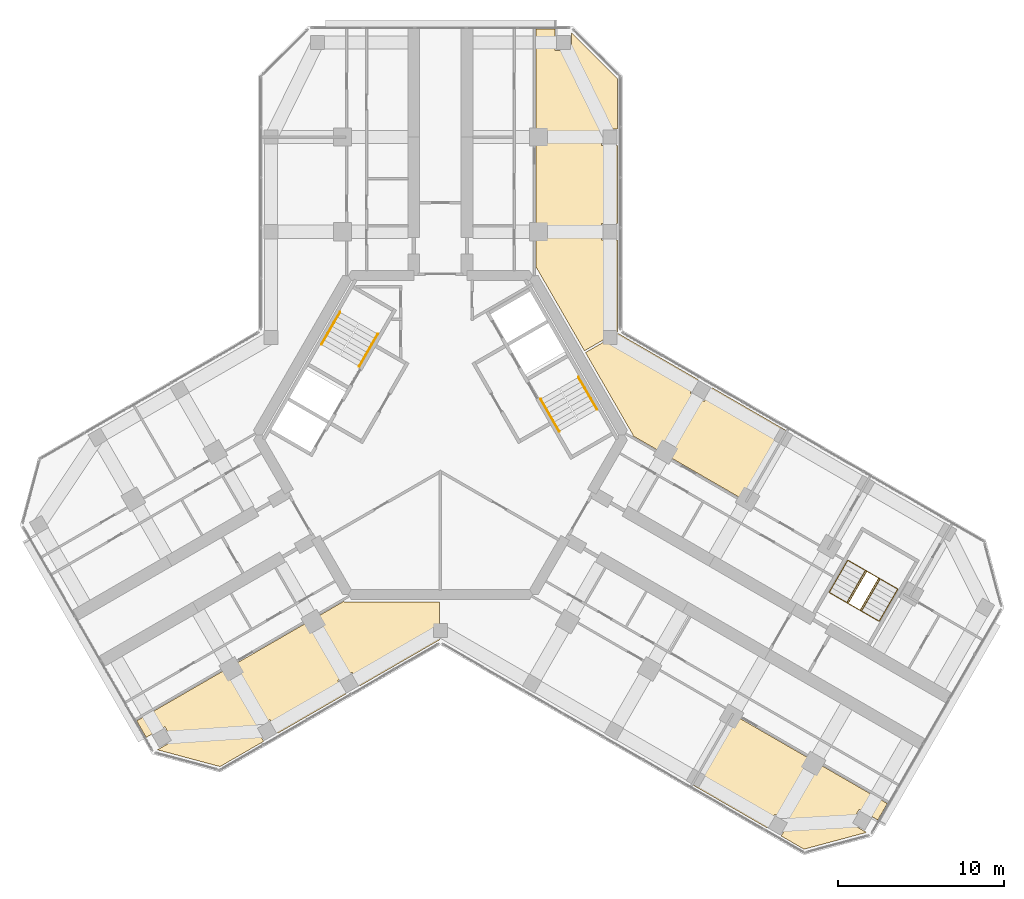
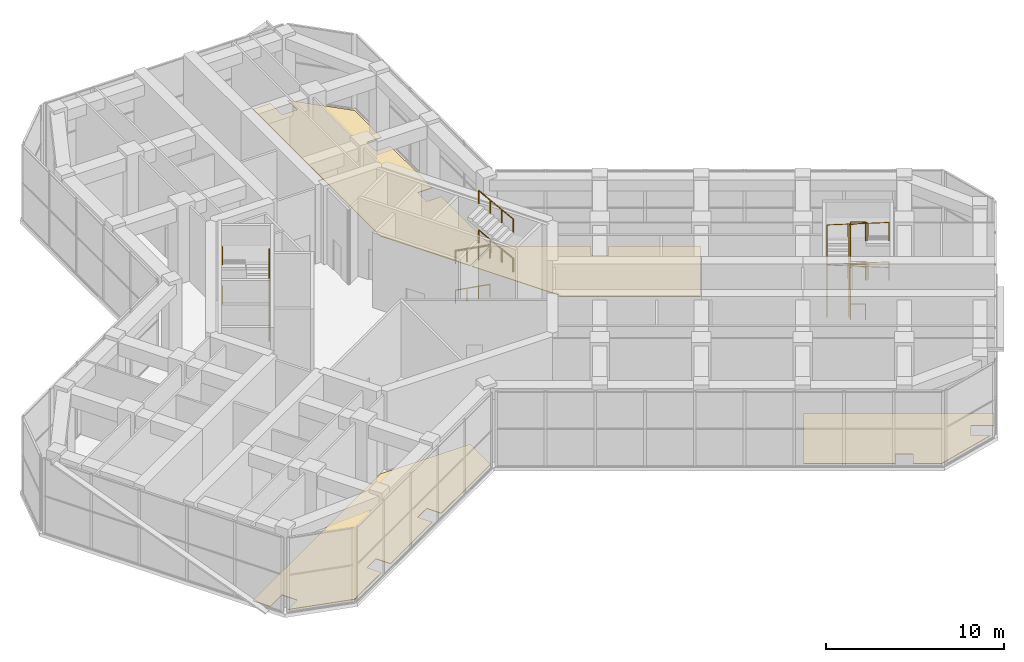
# One storey, part 16 of 16: 11 railings, 4 coverings.
"""IFC4 building model written with IfcOpenShell, lengths in metres."""

from ifc_helpers import new_model, si_unit, direction, frame, origin, origin_2d, place, context, subcontext, project, spatial, polyline, circle, outline, extrude, material, layer, layer_set, type_object, element, save


model = new_model("IFC4")

# Units and contexts
model_context = context("Model", 3, precision=1e-05, world=origin(), true_north=direction((0.0, 1.0)))
body_context = subcontext(model_context, "Body", "Model", "MODEL_VIEW")
ifc_project = project(units=[si_unit("LENGTHUNIT", "METRE"), si_unit("AREAUNIT", "SQUARE_METRE"), si_unit("VOLUMEUNIT", "CUBIC_METRE"), si_unit("PLANEANGLEUNIT", "RADIAN"), si_unit("MASSUNIT", "GRAM", prefix="KILO")], contexts=[model_context])

# Site, building, storey
site_placement = place(None, origin())
site = spatial("IfcSite", under=ifc_project, at=site_placement, CompositionType="ELEMENT")
building_placement = place(site_placement, origin())
building = spatial("IfcBuilding", under=site, at=building_placement, Name="Kosmar Iwan School Tower", CompositionType="ELEMENT")
storey_placement = place(building_placement, frame((0.0, 0.0, 226.199951171875)))
storey = spatial("IfcBuildingStorey", under=building, at=storey_placement, Name="L57", CompositionType="ELEMENT", Elevation=226.199951171875)

# Railings
ifc_material_1 = material(Name="Black steel", Category="steel")
railing_type_1 = type_object("IfcRailingType", Name="Stair handrail 900", PredefinedType="HANDRAIL", material=ifc_material_1)
railing_1_placement = place(storey_placement, frame((-4.89453125, 4.142333984375, 0.168701171875)))
element("IfcRailing", 1, at=railing_1_placement, inside=storey, type_object=railing_type_1, Name="Handrail ST2 flight 1", PredefinedType="HANDRAIL", context=body_context, shape_type="SweptSolid", body=[
    extrude(circle(Radius=0.02392578125, at=origin_2d()), frame((0.0, 0.0, 0.8759765625), z_axis=(0.442213376907, 0.766040438827, 0.466507636985), x_axis=(-0.866054910533, 0.49994888933, 0.0)), (0.0, 0.0, 1.0), 2.532470703125),
    extrude(circle(Radius=0.02099609375, at=origin_2d()), origin(), (0.0, 0.0, 1.0), 0.851806640625),
    extrude(circle(Radius=0.02099609375, at=origin_2d()), frame((0.373291015625, 0.646728515625, 0.393798828125)), (0.0, 0.0, 1.0), 0.851806640625),
    extrude(circle(Radius=0.02099609375, at=origin_2d()), frame((0.74658203125, 1.293212890625, 0.78759765625)), (0.0, 0.0, 1.0), 0.851806640625),
    extrude(circle(Radius=0.02099609375, at=origin_2d()), frame((1.119873046875, 1.93994140625, 1.181396484375)), (0.0, 0.0, 1.0), 0.851806640625),
])
railing_2_placement = place(storey_placement, frame((-6.05224609375, 7.397216796875, 1.518798828125)))
element("IfcRailing", 2, at=railing_2_placement, inside=storey, type_object=railing_type_1, Name="Handrail ST2 flight 2", PredefinedType="HANDRAIL", context=body_context, shape_type="SweptSolid", body=[
    extrude(circle(Radius=0.02392578125, at=origin_2d()), frame((0.0, 0.0, 0.8759765625), z_axis=(-0.442310814531, -0.766042225863, 0.466412319246), x_axis=(0.866007717299, -0.500030632641, 0.0)), (0.0, 0.0, 1.0), 2.532470703125),
    extrude(circle(Radius=0.02099609375, at=origin_2d()), origin(), (0.0, 0.0, 1.0), 0.851806640625),
    extrude(circle(Radius=0.02099609375, at=origin_2d()), frame((-0.373291015625, -0.646728515625, 0.393798828125)), (0.0, 0.0, 1.0), 0.851806640625),
    extrude(circle(Radius=0.02099609375, at=origin_2d()), frame((-0.746826171875, -1.293212890625, 0.787353515625)), (0.0, 0.0, 1.0), 0.851806640625),
    extrude(circle(Radius=0.02099609375, at=origin_2d()), frame((-1.1201171875, -1.93994140625, 1.18115234375)), (0.0, 0.0, 1.0), 0.851806640625),
])
railing_3_placement = place(storey_placement, frame((-4.89453125, 4.142333984375, 2.868896484375)))
element("IfcRailing", 3, at=railing_3_placement, inside=storey, type_object=railing_type_1, Name="Handrail ST2 flight 3", PredefinedType="HANDRAIL", context=body_context, shape_type="SweptSolid", body=[
    extrude(circle(Radius=0.02392578125, at=origin_2d()), frame((0.0, 0.0, 0.8759765625), z_axis=(0.442233264315, 0.766074889524, 0.466432206836), x_axis=(-0.866054910533, 0.49994888933, 0.0)), (0.0, 0.0, 1.0), 2.5322265625),
    extrude(circle(Radius=0.02099609375, at=origin_2d()), origin(), (0.0, 0.0, 1.0), 0.851806640625),
    extrude(circle(Radius=0.02099609375, at=origin_2d()), frame((0.373291015625, 0.646728515625, 0.393798828125)), (0.0, 0.0, 1.0), 0.851806640625),
    extrude(circle(Radius=0.02099609375, at=origin_2d()), frame((0.74658203125, 1.293212890625, 0.787353515625)), (0.0, 0.0, 1.0), 0.851806640625),
    extrude(circle(Radius=0.02099609375, at=origin_2d()), frame((1.119873046875, 1.93994140625, 1.18115234375)), (0.0, 0.0, 1.0), 0.851806640625),
])
railing_4_placement = place(storey_placement, frame((-6.05224609375, 7.397216796875, 4.21875)))
element("IfcRailing", 4, at=railing_4_placement, inside=storey, type_object=railing_type_1, Name="Handrail ST2 flight 4", PredefinedType="HANDRAIL", context=body_context, shape_type="SweptSolid", body=[
    extrude(circle(Radius=0.02392578125, at=origin_2d()), frame((0.0, 0.0, 0.8759765625), z_axis=(-0.442290925331, -0.766007779573, 0.466487747968), x_axis=(0.866007717299, -0.500030632641, 0.0)), (0.0, 0.0, 1.0), 2.532470703125),
    extrude(circle(Radius=0.02099609375, at=origin_2d()), origin(), (0.0, 0.0, 1.0), 0.851806640625),
    extrude(circle(Radius=0.02099609375, at=origin_2d()), frame((-0.373291015625, -0.646728515625, 0.393798828125)), (0.0, 0.0, 1.0), 0.851806640625),
    extrude(circle(Radius=0.02099609375, at=origin_2d()), frame((-0.746826171875, -1.293212890625, 0.78759765625)), (0.0, 0.0, 1.0), 0.851806640625),
    extrude(circle(Radius=0.02099609375, at=origin_2d()), frame((-1.1201171875, -1.93994140625, 1.181396484375)), (0.0, 0.0, 1.0), 0.851806640625),
])
railing_5_placement = place(storey_placement, frame((6.03466796875, 2.167724609375, 0.168701171875)))
element("IfcRailing", 5, at=railing_5_placement, inside=storey, type_object=railing_type_1, Name="Handrail ST1 flight 1", PredefinedType="HANDRAIL", context=body_context, shape_type="SweptSolid", body=[
    extrude(circle(Radius=0.02392578125, at=origin_2d()), frame((0.0, 0.0, 0.8759765625), z_axis=(0.442213376907, -0.766040438827, 0.466507636985), x_axis=(0.866054910533, 0.49994888933, 0.0)), (0.0, 0.0, 1.0), 2.532470703125),
    extrude(circle(Radius=0.02099609375, at=origin_2d()), origin(), (0.0, 0.0, 1.0), 0.851806640625),
    extrude(circle(Radius=0.02099609375, at=origin_2d()), frame((0.373291015625, -0.646728515625, 0.393798828125)), (0.0, 0.0, 1.0), 0.851806640625),
    extrude(circle(Radius=0.02099609375, at=origin_2d()), frame((0.74658203125, -1.293212890625, 0.78759765625)), (0.0, 0.0, 1.0), 0.851806640625),
    extrude(circle(Radius=0.02099609375, at=origin_2d()), frame((1.119873046875, -1.93994140625, 1.181396484375)), (0.0, 0.0, 1.0), 0.851806640625),
])
railing_6_placement = place(storey_placement, frame((9.432373046875, 1.542724609375, 1.518798828125)))
element("IfcRailing", 6, at=railing_6_placement, inside=storey, type_object=railing_type_1, Name="Handrail ST1 flight 2", PredefinedType="HANDRAIL", context=body_context, shape_type="SweptSolid", body=[
    extrude(circle(Radius=0.02392578125, at=origin_2d()), frame((0.0, 0.0, 0.8759765625), z_axis=(-0.442310814531, 0.766042225863, 0.466412319246), x_axis=(-0.866007717299, -0.500030632641, 0.0)), (0.0, 0.0, 1.0), 2.532470703125),
    extrude(circle(Radius=0.02099609375, at=origin_2d()), origin(), (0.0, 0.0, 1.0), 0.851806640625),
    extrude(circle(Radius=0.02099609375, at=origin_2d()), frame((-0.373291015625, 0.646728515625, 0.393798828125)), (0.0, 0.0, 1.0), 0.851806640625),
    extrude(circle(Radius=0.02099609375, at=origin_2d()), frame((-0.746826171875, 1.293212890625, 0.787353515625)), (0.0, 0.0, 1.0), 0.851806640625),
    extrude(circle(Radius=0.02099609375, at=origin_2d()), frame((-1.1201171875, 1.93994140625, 1.18115234375)), (0.0, 0.0, 1.0), 0.851806640625),
])
railing_7_placement = place(storey_placement, frame((6.03466796875, 2.167724609375, 2.868896484375)))
element("IfcRailing", 7, at=railing_7_placement, inside=storey, type_object=railing_type_1, Name="Handrail ST1 flight 3", PredefinedType="HANDRAIL", context=body_context, shape_type="SweptSolid", body=[
    extrude(circle(Radius=0.02392578125, at=origin_2d()), frame((0.0, 0.0, 0.8759765625), z_axis=(0.442233264315, -0.766074889524, 0.466432206836), x_axis=(0.866054910533, 0.49994888933, 0.0)), (0.0, 0.0, 1.0), 2.5322265625),
    extrude(circle(Radius=0.02099609375, at=origin_2d()), origin(), (0.0, 0.0, 1.0), 0.851806640625),
    extrude(circle(Radius=0.02099609375, at=origin_2d()), frame((0.373291015625, -0.646728515625, 0.393798828125)), (0.0, 0.0, 1.0), 0.851806640625),
    extrude(circle(Radius=0.02099609375, at=origin_2d()), frame((0.74658203125, -1.293212890625, 0.787353515625)), (0.0, 0.0, 1.0), 0.851806640625),
    extrude(circle(Radius=0.02099609375, at=origin_2d()), frame((1.119873046875, -1.93994140625, 1.18115234375)), (0.0, 0.0, 1.0), 0.851806640625),
])
railing_8_placement = place(storey_placement, frame((9.432373046875, 1.542724609375, 4.21875)))
element("IfcRailing", 8, at=railing_8_placement, inside=storey, type_object=railing_type_1, Name="Handrail ST1 flight 4", PredefinedType="HANDRAIL", context=body_context, shape_type="SweptSolid", body=[
    extrude(circle(Radius=0.02392578125, at=origin_2d()), frame((0.0, 0.0, 0.8759765625), z_axis=(-0.442290925331, 0.766007779573, 0.466487747968), x_axis=(-0.866007717299, -0.500030632641, 0.0)), (0.0, 0.0, 1.0), 2.532470703125),
    extrude(circle(Radius=0.02099609375, at=origin_2d()), origin(), (0.0, 0.0, 1.0), 0.851806640625),
    extrude(circle(Radius=0.02099609375, at=origin_2d()), frame((-0.373291015625, 0.646728515625, 0.393798828125)), (0.0, 0.0, 1.0), 0.851806640625),
    extrude(circle(Radius=0.02099609375, at=origin_2d()), frame((-0.746826171875, 1.293212890625, 0.78759765625)), (0.0, 0.0, 1.0), 0.851806640625),
    extrude(circle(Radius=0.02099609375, at=origin_2d()), frame((-1.1201171875, 1.93994140625, 1.181396484375)), (0.0, 0.0, 1.0), 0.851806640625),
])
railing_9_placement = place(storey_placement, frame((23.4091796875, -9.473876953125, 0.168701171875)))
element("IfcRailing", 9, at=railing_9_placement, inside=storey, type_object=railing_type_1, Name="Handrail stair WS3 L57 wall side", PredefinedType="HANDRAIL", context=body_context, shape_type="SweptSolid", body=[
    extrude(circle(Radius=0.02392578125, at=origin_2d()), frame((0.0, 0.0, 0.8759765625), z_axis=(0.442290925331, 0.766007779573, 0.466487747968), x_axis=(-0.866007717299, 0.500030632641, 0.0)), (0.0, 0.0, 1.0), 2.532470703125),
    extrude(circle(Radius=0.02392578125, at=origin_2d()), frame((1.1201171875, 1.93994140625, 2.05712890625), z_axis=(0.865003826348, -0.499423385482, 0.048421714518), x_axis=(0.500009906705, 0.86601968407, 0.0)), (0.0, 0.0, 1.0), 3.48388671875),
    extrude(circle(Radius=0.02392578125, at=origin_2d()), frame((4.1337890625, 0.199951171875, 2.22607421875), z_axis=(-0.442233264315, -0.766074889524, 0.466432206836), x_axis=(0.866054910533, -0.49994888933, 0.0)), (0.0, 0.0, 1.0), 2.5322265625),
    extrude(circle(Radius=0.02392578125, at=origin_2d()), frame((3.013916015625, -1.739990234375, 3.4072265625), z_axis=(-0.865018530478, 0.499391418932, 0.048488685548), x_axis=(-0.499979528911, -0.866037222451, 0.0)), (0.0, 0.0, 1.0), 3.484130859375),
    extrude(circle(Radius=0.02392578125, at=origin_2d()), frame((0.0, 0.0, 3.576171875), z_axis=(0.442310814531, 0.766042225863, 0.466412319246), x_axis=(-0.866007717299, 0.500030632641, 0.0)), (0.0, 0.0, 1.0), 2.532470703125),
    extrude(circle(Radius=0.02392578125, at=origin_2d()), frame((1.1201171875, 1.93994140625, 4.75732421875), z_axis=(0.865003826348, -0.499423385482, 0.048421714518), x_axis=(0.500009906705, 0.86601968407, 0.0)), (0.0, 0.0, 1.0), 3.48388671875),
    extrude(circle(Radius=0.02392578125, at=origin_2d()), frame((4.1337890625, 0.199951171875, 4.92578125), z_axis=(-0.442213376907, -0.766040438827, 0.466507636985), x_axis=(0.866054910533, -0.49994888933, 0.0)), (0.0, 0.0, 1.0), 2.532470703125),
    extrude(circle(Radius=0.02099609375, at=origin_2d()), origin(), (0.0, 0.0, 1.0), 0.851806640625),
    extrude(circle(Radius=0.02099609375, at=origin_2d()), frame((0.373291015625, 0.646728515625, 0.393798828125)), (0.0, 0.0, 1.0), 0.851806640625),
    extrude(circle(Radius=0.02099609375, at=origin_2d()), frame((0.746826171875, 1.293212890625, 0.78759765625)), (0.0, 0.0, 1.0), 0.851806640625),
    extrude(circle(Radius=0.02099609375, at=origin_2d()), frame((1.1201171875, 1.93994140625, 1.181396484375)), (0.0, 0.0, 1.0), 0.851806640625),
    extrude(circle(Radius=0.02099609375, at=origin_2d()), frame((2.124755859375, 1.35986328125, 1.237548828125)), (0.0, 0.0, 1.0), 0.851806640625),
    extrude(circle(Radius=0.02099609375, at=origin_2d()), frame((3.129150390625, 0.780029296875, 1.2939453125)), (0.0, 0.0, 1.0), 0.851806640625),
    extrude(circle(Radius=0.02099609375, at=origin_2d()), frame((4.1337890625, 0.199951171875, 1.35009765625)), (0.0, 0.0, 1.0), 0.851806640625),
    extrude(circle(Radius=0.02099609375, at=origin_2d()), frame((3.760498046875, -0.44677734375, 1.743896484375)), (0.0, 0.0, 1.0), 0.851806640625),
    extrude(circle(Radius=0.02099609375, at=origin_2d()), frame((3.38720703125, -1.09326171875, 2.137451171875)), (0.0, 0.0, 1.0), 0.851806640625),
    extrude(circle(Radius=0.02099609375, at=origin_2d()), frame((3.013916015625, -1.739990234375, 2.53125)), (0.0, 0.0, 1.0), 0.851806640625),
    extrude(circle(Radius=0.02099609375, at=origin_2d()), frame((2.00927734375, -1.159912109375, 2.587646484375)), (0.0, 0.0, 1.0), 0.851806640625),
    extrude(circle(Radius=0.02099609375, at=origin_2d()), frame((1.004638671875, -0.580078125, 2.643798828125)), (0.0, 0.0, 1.0), 0.851806640625),
    extrude(circle(Radius=0.02099609375, at=origin_2d()), frame((0.0, 0.0, 2.7001953125)), (0.0, 0.0, 1.0), 0.851806640625),
    extrude(circle(Radius=0.02099609375, at=origin_2d()), frame((0.373291015625, 0.646728515625, 3.093994140625)), (0.0, 0.0, 1.0), 0.851806640625),
    extrude(circle(Radius=0.02099609375, at=origin_2d()), frame((0.746826171875, 1.293212890625, 3.487548828125)), (0.0, 0.0, 1.0), 0.851806640625),
    extrude(circle(Radius=0.02099609375, at=origin_2d()), frame((1.1201171875, 1.93994140625, 3.88134765625)), (0.0, 0.0, 1.0), 0.851806640625),
    extrude(circle(Radius=0.02099609375, at=origin_2d()), frame((2.124755859375, 1.35986328125, 3.9375)), (0.0, 0.0, 1.0), 0.851806640625),
    extrude(circle(Radius=0.02099609375, at=origin_2d()), frame((3.129150390625, 0.780029296875, 3.993896484375)), (0.0, 0.0, 1.0), 0.851806640625),
    extrude(circle(Radius=0.02099609375, at=origin_2d()), frame((4.1337890625, 0.199951171875, 4.050048828125)), (0.0, 0.0, 1.0), 0.851806640625),
    extrude(circle(Radius=0.02099609375, at=origin_2d()), frame((3.760498046875, -0.44677734375, 4.44384765625)), (0.0, 0.0, 1.0), 0.851806640625),
    extrude(circle(Radius=0.02099609375, at=origin_2d()), frame((3.38720703125, -1.09326171875, 4.837646484375)), (0.0, 0.0, 1.0), 0.851806640625),
    extrude(circle(Radius=0.02099609375, at=origin_2d()), frame((3.013916015625, -1.739990234375, 5.2314453125)), (0.0, 0.0, 1.0), 0.851806640625),
])
railing_10_placement = place(storey_placement, frame((24.474609375, -10.0888671875, 0.168701171875)))
element("IfcRailing", 10, at=railing_10_placement, inside=storey, type_object=railing_type_1, Name="Handrail stair WS3 L57 well side", PredefinedType="HANDRAIL", context=body_context, shape_type="SweptSolid", body=[
    extrude(circle(Radius=0.02392578125, at=origin_2d()), frame((0.0, 0.0, 0.8759765625), z_axis=(0.442213376907, 0.766040438827, 0.466507636985), x_axis=(-0.866054910533, 0.49994888933, 0.0)), (0.0, 0.0, 1.0), 2.532470703125),
    extrude(circle(Radius=0.02392578125, at=origin_2d()), frame((1.119873046875, 1.93994140625, 2.05712890625), z_axis=(0.854402202795, -0.493323991608, 0.163181846913), x_axis=(0.500026340207, 0.866010195725, 0.0)), (0.0, 0.0, 1.0), 1.033935546875),
    extrude(circle(Radius=0.02392578125, at=origin_2d()), frame((2.003173828125, 1.429931640625, 2.22607421875), z_axis=(-0.442233264315, -0.766074889524, 0.466432206836), x_axis=(0.866054910533, -0.49994888933, 0.0)), (0.0, 0.0, 1.0), 2.5322265625),
    extrude(circle(Radius=0.02392578125, at=origin_2d()), frame((0.88330078125, -0.510009765625, 3.4072265625), z_axis=(-0.854369255709, 0.493304968263, 0.163411698439), x_axis=(-0.500026340207, -0.866010195725, 0.0)), (0.0, 0.0, 1.0), 1.033935546875),
    extrude(circle(Radius=0.02392578125, at=origin_2d()), frame((0.0, 0.0, 3.576171875), z_axis=(0.442233264315, 0.766074889524, 0.466432206836), x_axis=(-0.866054910533, 0.49994888933, 0.0)), (0.0, 0.0, 1.0), 2.5322265625),
    extrude(circle(Radius=0.02392578125, at=origin_2d()), frame((1.119873046875, 1.93994140625, 4.75732421875), z_axis=(0.854402202795, -0.493323991608, 0.163181846913), x_axis=(0.500026340207, 0.866010195725, 0.0)), (0.0, 0.0, 1.0), 1.033935546875),
    extrude(circle(Radius=0.02392578125, at=origin_2d()), frame((2.003173828125, 1.429931640625, 4.92578125), z_axis=(-0.442213376907, -0.766040438827, 0.466507636985), x_axis=(0.866054910533, -0.49994888933, 0.0)), (0.0, 0.0, 1.0), 2.532470703125),
    extrude(circle(Radius=0.02099609375, at=origin_2d()), origin(), (0.0, 0.0, 1.0), 0.851806640625),
    extrude(circle(Radius=0.02099609375, at=origin_2d()), frame((0.373291015625, 0.646728515625, 0.393798828125)), (0.0, 0.0, 1.0), 0.851806640625),
    extrude(circle(Radius=0.02099609375, at=origin_2d()), frame((0.74658203125, 1.293212890625, 0.78759765625)), (0.0, 0.0, 1.0), 0.851806640625),
    extrude(circle(Radius=0.02099609375, at=origin_2d()), frame((1.119873046875, 1.93994140625, 1.181396484375)), (0.0, 0.0, 1.0), 0.851806640625),
    extrude(circle(Radius=0.02099609375, at=origin_2d()), frame((2.003173828125, 1.429931640625, 1.35009765625)), (0.0, 0.0, 1.0), 0.851806640625),
    extrude(circle(Radius=0.02099609375, at=origin_2d()), frame((1.6298828125, 0.783203125, 1.743896484375)), (0.0, 0.0, 1.0), 0.851806640625),
    extrude(circle(Radius=0.02099609375, at=origin_2d()), frame((1.256591796875, 0.13671875, 2.137451171875)), (0.0, 0.0, 1.0), 0.851806640625),
    extrude(circle(Radius=0.02099609375, at=origin_2d()), frame((0.88330078125, -0.510009765625, 2.53125)), (0.0, 0.0, 1.0), 0.851806640625),
    extrude(circle(Radius=0.02099609375, at=origin_2d()), frame((0.0, 0.0, 2.7001953125)), (0.0, 0.0, 1.0), 0.851806640625),
    extrude(circle(Radius=0.02099609375, at=origin_2d()), frame((0.373291015625, 0.646728515625, 3.093994140625)), (0.0, 0.0, 1.0), 0.851806640625),
    extrude(circle(Radius=0.02099609375, at=origin_2d()), frame((0.74658203125, 1.293212890625, 3.487548828125)), (0.0, 0.0, 1.0), 0.851806640625),
    extrude(circle(Radius=0.02099609375, at=origin_2d()), frame((1.119873046875, 1.93994140625, 3.88134765625)), (0.0, 0.0, 1.0), 0.851806640625),
    extrude(circle(Radius=0.02099609375, at=origin_2d()), frame((2.003173828125, 1.429931640625, 4.050048828125)), (0.0, 0.0, 1.0), 0.851806640625),
    extrude(circle(Radius=0.02099609375, at=origin_2d()), frame((1.6298828125, 0.783203125, 4.44384765625)), (0.0, 0.0, 1.0), 0.851806640625),
    extrude(circle(Radius=0.02099609375, at=origin_2d()), frame((1.256591796875, 0.13671875, 4.837646484375)), (0.0, 0.0, 1.0), 0.851806640625),
    extrude(circle(Radius=0.02099609375, at=origin_2d()), frame((0.88330078125, -0.510009765625, 5.2314453125)), (0.0, 0.0, 1.0), 0.851806640625),
])
ifc_material_2 = material(Name="Black steel", Category="steel")
railing_type_2 = type_object("IfcRailingType", Name="Stair well guard 1100", PredefinedType="GUARDRAIL", material=ifc_material_2)
railing_11_placement = place(storey_placement, frame((25.280029296875, -10.553955078125, 0.0)))
element("IfcRailing", 11, at=railing_11_placement, inside=storey, type_object=railing_type_2, Name="Stair WS3 L57 well guard", PredefinedType="GUARDRAIL", context=body_context, shape_type="SweptSolid", body=[
    extrude(circle(Radius=0.02392578125, at=origin_2d()), frame((0.0, 0.0, 1.076171875), z_axis=(-0.865962960534, 0.500108139288, 0.0), x_axis=(-0.500108139288, -0.865962960534, 0.0)), (0.0, 0.0, 1.0), 0.840087890625),
    extrude(circle(Radius=0.02392578125, at=origin_2d()), frame((-0.7275390625, 0.420166015625, 1.076171875), z_axis=(0.428215923269, 0.741699479044, 0.516248976603), x_axis=(-0.866027664105, 0.49999608499, 0.0)), (0.0, 0.0, 1.0), 2.615234375),
    extrude(circle(Radius=0.02392578125, at=origin_2d()), frame((0.392333984375, 2.35986328125, 2.42626953125), z_axis=(0.866088799389, -0.499890179513, 0.0), x_axis=(0.499890179513, 0.866088799389, 0.0)), (0.0, 0.0, 1.0), 0.840087890625),
    extrude(circle(Radius=0.02392578125, at=origin_2d()), frame((1.119873046875, 1.93994140625, 2.42626953125), z_axis=(-0.428206907264, -0.741777214981, 0.516144754799), x_axis=(0.866054910533, -0.49994888933, 0.0)), (0.0, 0.0, 1.0), 2.615234375),
    extrude(circle(Radius=0.02392578125, at=origin_2d()), frame((0.0, 0.0, 3.77587890625), z_axis=(-0.865962960534, 0.500108139288, 0.0), x_axis=(-0.500108139288, -0.865962960534, 0.0)), (0.0, 0.0, 1.0), 0.840087890625),
    extrude(circle(Radius=0.02392578125, at=origin_2d()), frame((-0.7275390625, 0.420166015625, 3.77587890625), z_axis=(0.428215923269, 0.741699479044, 0.516248976603), x_axis=(-0.866027664105, 0.49999608499, 0.0)), (0.0, 0.0, 1.0), 2.615234375),
    extrude(circle(Radius=0.02392578125, at=origin_2d()), frame((0.392333984375, 2.35986328125, 5.1259765625), z_axis=(0.866088799389, -0.499890179513, 0.0), x_axis=(0.499890179513, 0.866088799389, 0.0)), (0.0, 0.0, 1.0), 0.840087890625),
    extrude(circle(Radius=0.02392578125, at=origin_2d()), frame((1.119873046875, 1.93994140625, 5.1259765625), z_axis=(-0.428186274472, -0.741741473066, 0.516213232577), x_axis=(0.866054910533, -0.49994888933, 0.0)), (0.0, 0.0, 1.0), 2.615478515625),
    extrude(circle(Radius=0.02099609375, at=origin_2d()), origin(), (0.0, 0.0, 1.0), 1.052001953125),
    extrude(circle(Radius=0.02099609375, at=origin_2d()), frame((-0.7275390625, 0.420166015625, 0.0)), (0.0, 0.0, 1.0), 1.052001953125),
    extrude(circle(Radius=0.02099609375, at=origin_2d()), frame((-0.354248046875, 1.066650390625, 0.449951171875)), (0.0, 0.0, 1.0), 1.052001953125),
    extrude(circle(Radius=0.02099609375, at=origin_2d()), frame((0.01904296875, 1.71337890625, 0.900146484375)), (0.0, 0.0, 1.0), 1.052001953125),
    extrude(circle(Radius=0.02099609375, at=origin_2d()), frame((0.392333984375, 2.35986328125, 1.35009765625)), (0.0, 0.0, 1.0), 1.052001953125),
    extrude(circle(Radius=0.02099609375, at=origin_2d()), frame((1.119873046875, 1.93994140625, 1.35009765625)), (0.0, 0.0, 1.0), 1.052001953125),
    extrude(circle(Radius=0.02099609375, at=origin_2d()), frame((0.74658203125, 1.293212890625, 1.800048828125)), (0.0, 0.0, 1.0), 1.052001953125),
    extrude(circle(Radius=0.02099609375, at=origin_2d()), frame((0.373291015625, 0.646728515625, 2.25)), (0.0, 0.0, 1.0), 1.052001953125),
    extrude(circle(Radius=0.02099609375, at=origin_2d()), frame((0.0, 0.0, 2.699951171875)), (0.0, 0.0, 1.0), 1.052001953125),
    extrude(circle(Radius=0.02099609375, at=origin_2d()), frame((-0.7275390625, 0.420166015625, 2.699951171875)), (0.0, 0.0, 1.0), 1.052001953125),
    extrude(circle(Radius=0.02099609375, at=origin_2d()), frame((-0.354248046875, 1.066650390625, 3.14990234375)), (0.0, 0.0, 1.0), 1.052001953125),
    extrude(circle(Radius=0.02099609375, at=origin_2d()), frame((0.01904296875, 1.71337890625, 3.60009765625)), (0.0, 0.0, 1.0), 1.052001953125),
    extrude(circle(Radius=0.02099609375, at=origin_2d()), frame((0.392333984375, 2.35986328125, 4.050048828125)), (0.0, 0.0, 1.0), 1.052001953125),
    extrude(circle(Radius=0.02099609375, at=origin_2d()), frame((1.119873046875, 1.93994140625, 4.050048828125)), (0.0, 0.0, 1.0), 1.052001953125),
    extrude(circle(Radius=0.02099609375, at=origin_2d()), frame((0.74658203125, 1.293212890625, 4.5)), (0.0, 0.0, 1.0), 1.052001953125),
    extrude(circle(Radius=0.02099609375, at=origin_2d()), frame((0.373291015625, 0.646728515625, 4.9501953125)), (0.0, 0.0, 1.0), 1.052001953125),
    extrude(circle(Radius=0.02099609375, at=origin_2d()), frame((0.0, 0.0, 5.400146484375)), (0.0, 0.0, 1.0), 1.052001953125),
])

# Coverings
ifc_material_3 = material(Name="Honed limestone on mortar bed", Category="masonry")
ifc_layer = layer(ifc_material_3, 0.0400390625)
ifc_layer_set = layer_set([ifc_layer], Name="Winter garden stone flooring 40")
covering_type = type_object("IfcCoveringType", Name="Winter garden stone flooring 40", PredefinedType="FLOORING", material=ifc_layer_set)
covering_1_placement = place(storey_placement, origin())
element("IfcCovering", 12, at=covering_1_placement, inside=storey, type_object=covering_type, Name="Winter garden flooring L57-AR1-F1", PredefinedType="FLOORING", context=body_context, shape_type="SweptSolid", body=[
    extrude(outline(polyline([(8.67236328125, 5.0791015625), (10.64990234375, 6.224365234375), (10.64990234375, 11.7548828125), (9.705078125, 11.7548828125), (9.705078125, 12.7451171875), (10.64990234375, 12.7451171875), (10.64990234375, 17.455078125), (9.705078125, 17.455078125), (9.705078125, 18.445068359375), (10.64990234375, 18.445068359375), (10.64990234375, 21.479248046875), (7.89501953125, 24.234375), (7.89501953125, 23.155029296875), (6.905029296875, 23.155029296875), (6.905029296875, 24.449951171875), (5.760009765625, 24.449951171875), (5.760009765625, 10.050048828125), (5.802490234375, 10.050048828125), (8.67236328125, 5.0791015625)])), origin(), (0.0, 0.0, 1.0), 0.0400390625),
])
covering_2_placement = place(storey_placement, origin())
element("IfcCovering", 13, at=covering_2_placement, inside=storey, type_object=covering_type, Name="Winter garden flooring L57-BL1-F1", PredefinedType="FLOORING", context=body_context, shape_type="SweptSolid", body=[
    extrude(outline(polyline([(-13.276611328125, -19.962890625), (-10.64892578125, -18.445556640625), (-11.121337890625, -17.627197265625), (-10.263916015625, -17.13232421875), (-9.79150390625, -17.95068359375), (-5.71240234375, -15.595703125), (-6.18505859375, -14.77734375), (-5.32763671875, -14.2822265625), (-4.855224609375, -15.1005859375), (-0.0654296875, -12.33544921875), (-0.0625, -10.050048828125), (-5.802490234375, -10.050048828125), (-5.823486328125, -10.013427734375), (-18.29443359375, -17.21337890625), (-17.721923828125, -18.204833984375), (-16.600341796875, -17.557373046875), (-16.105224609375, -18.414794921875), (-17.0400390625, -18.954345703125), (-13.276611328125, -19.962890625)])), origin(), (0.0, 0.0, 1.0), 0.0400390625),
])
covering_3_placement = place(storey_placement, origin())
element("IfcCovering", 14, at=covering_3_placement, inside=storey, type_object=covering_type, Name="Winter garden flooring L57-CL1-F1", PredefinedType="FLOORING", context=body_context, shape_type="SweptSolid", body=[
    extrude(outline(polyline([(18.3818359375, -3.961669921875), (20.826904296875, 0.273193359375), (16.362548828125, 2.8505859375), (15.889892578125, 2.0322265625), (15.03271484375, 2.52734375), (15.505126953125, 3.345703125), (10.71533203125, 6.111083984375), (8.73486328125, 4.970703125), (11.604736328125, 0.0), (11.58349609375, -0.03662109375), (18.3818359375, -3.961669921875)])), origin(), (0.0, 0.0, 1.0), 0.0400390625),
])
covering_4_placement = place(storey_placement, origin())
element("IfcCovering", 15, at=covering_4_placement, inside=storey, type_object=covering_type, Name="Winter garden flooring L57-CR1-F2", PredefinedType="FLOORING", context=body_context, shape_type="SweptSolid", body=[
    extrude(outline(polyline([(21.8935546875, -24.937744140625), (25.656982421875, -23.929443359375), (24.72216796875, -23.3896484375), (25.21728515625, -22.532470703125), (26.3388671875, -23.179931640625), (26.911376953125, -22.188232421875), (17.644775390625, -16.83837890625), (15.19970703125, -21.0732421875), (19.6640625, -23.650634765625), (20.13671875, -22.832275390625), (20.994140625, -23.327392578125), (20.521484375, -24.145751953125), (21.8935546875, -24.937744140625)])), origin(), (0.0, 0.0, 1.0), 0.0400390625),
])

save(model, "model.ifc")
